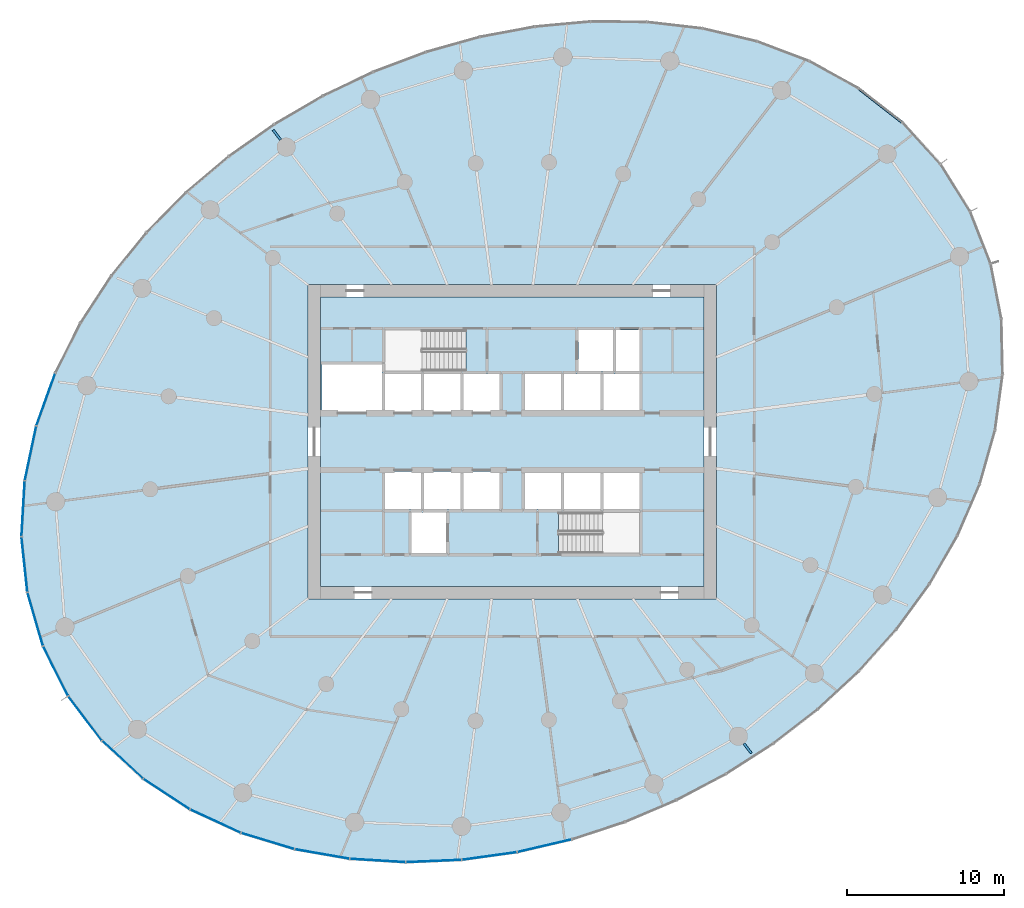
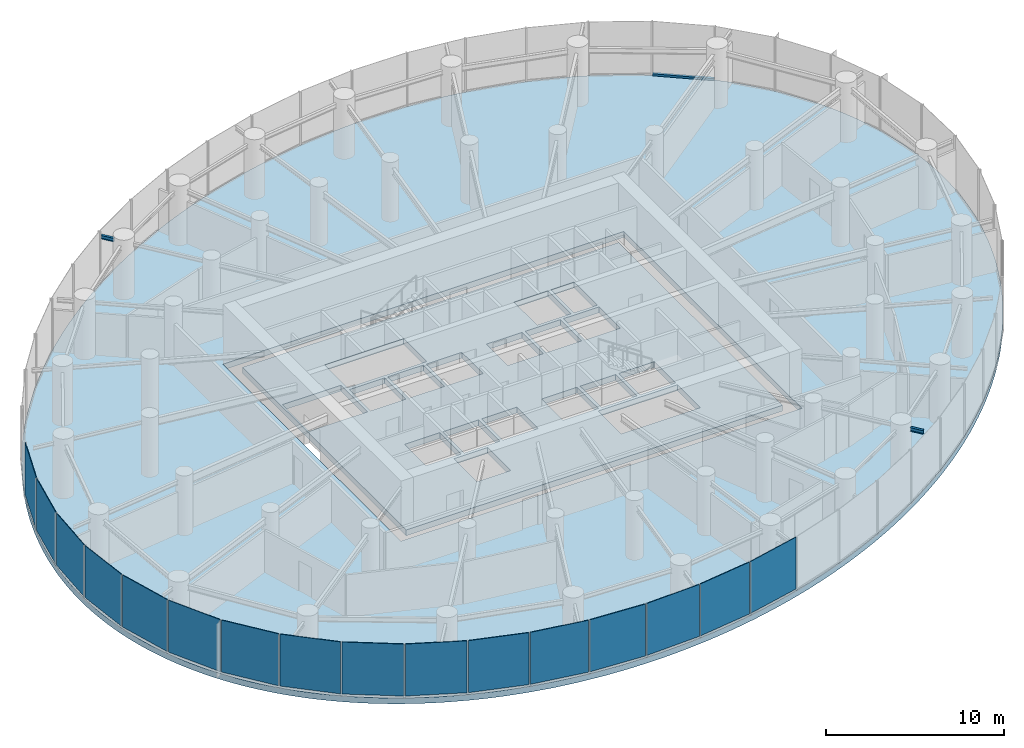
# One storey, part 8 of 17: 16 plates, 2 beams, 2 slabs, 1 member, 4 elements without a shape of their own.
"""IFC4 building model written with IfcOpenShell, lengths in metres."""

from ifc_helpers import new_model, si_unit, direction, frame, origin, origin_2d, place, context, subcontext, project, spatial, line, indexed_curve, rectangle, i_section, outline, extrude, source, transform, mapped, material, layer, layer_set, material_profile, profile_set, type_object, element, aggregate, save


model = new_model("IFC4")

# Units and contexts
model_context = context("Model", 3, precision=1e-05, world=origin(), true_north=direction((0.0, 1.0)))
body_context = subcontext(model_context, "Body", "Model", "MODEL_VIEW")
ifc_project = project(units=[si_unit("LENGTHUNIT", "METRE"), si_unit("AREAUNIT", "SQUARE_METRE"), si_unit("VOLUMEUNIT", "CUBIC_METRE"), si_unit("PLANEANGLEUNIT", "RADIAN"), si_unit("MASSUNIT", "GRAM", prefix="KILO")], contexts=[model_context])

# Site, building, storey
site_placement = place(None, origin())
site = spatial("IfcSite", under=ifc_project, at=site_placement, CompositionType="ELEMENT")
building_placement = place(site_placement, origin())
building = spatial("IfcBuilding", under=site, at=building_placement, Name="Spindrift Exchange Tower", CompositionType="ELEMENT")
storey_placement = place(building_placement, frame((0.0, 0.0, 108.5)))
storey = spatial("IfcBuildingStorey", under=building, at=storey_placement, Name="L25", CompositionType="ELEMENT", Elevation=108.5)

# Beams
ifc_material_1 = material(Name="Steel Grade 300", Category="steel")
ifc_material_profile_1 = material_profile(ifc_material_1, i_section(OverallWidth=0.14599609375, OverallDepth=0.251953125, WebThickness=0.006103515625, FlangeThickness=0.008544921875, FilletRadius=0.011962890625, at=origin_2d()), Name="250UB31.4")
ifc_profile_set_1 = profile_set([ifc_material_profile_1], Name="Steel Grade 300")
beam_type = type_object("IfcBeamType", Name="Cantilever Beam 250UB31.4 Steel Grade 300", PredefinedType="BEAM", material=ifc_profile_set_1)
shared_shape_1 = source(origin(), body_context, "Body", "SweptSolid", [
    extrude(i_section(OverallWidth=0.14599609375, OverallDepth=0.251953125, WebThickness=0.006103515625, FlangeThickness=0.008544921875, FilletRadius=0.011962890625, at=origin_2d()), origin(), (0.0, 0.0, 1.0), 0.7841796875),
])
for number, where, z_axis, x_axis, name in (
    (1, (37.264892578125, 67.203125, 3.573974609375), (-0.608732195094, 0.793375771407, 0.0), (-0.793375771407, -0.608732195094, 0.0), "L25 cantilever beam R09T"),
    (2, (66.735107421875, 28.796875, 3.573974609375), (0.608732195094, -0.793375771407, 0.0), (0.793375771407, 0.608732195094, 0.0), "L25 cantilever beam R21T"),
):
    element("IfcBeam", number, at=place(storey_placement, frame(where, z_axis=z_axis, x_axis=x_axis)), inside=storey, type_object=beam_type, Name=name, PredefinedType="BEAM", context=body_context, shape_type="MappedRepresentation", body=[
        mapped(shared_shape_1, transform((0.0, 0.0, 0.0), scale=1.0)),
    ])

# Curtain wall, member
ifc_material_2 = material(Name="Fritted laminated glass with bronze frame", Category="glass")
ifc_layer_1 = layer(ifc_material_2, 0.18994140625)
ifc_layer_set_1 = layer_set([ifc_layer_1], Name="ZONE 2 BRONZE FRITTED WALL")
curtain_wall_type = type_object("IfcCurtainWallType", Name="ZONE 2 BRONZE FRITTED WALL", PredefinedType="NOTDEFINED", material=ifc_layer_set_1)
curtain_wall_1_placement = place(storey_placement, origin())
curtain_wall_1 = element("IfcCurtainWall", 3, at=curtain_wall_1_placement, inside=storey, type_object=curtain_wall_type, Name="L25 Zone 2 Bronze Fritted Wall run 1", PredefinedType="NOTDEFINED")
ifc_material_3 = material(Name="Bronze anodised aluminium", Category="aluminium")
ifc_material_profile_2 = material_profile(ifc_material_3, rectangle(XDim=0.169921875, YDim=0.139892578125, at=origin_2d()), Name="ZONE 2 BRONZE FRITTED WALL TRANSOM 170X140")
ifc_profile_set_2 = profile_set([ifc_material_profile_2], Name="Bronze anodised aluminium")
member_type = type_object("IfcMemberType", Name="ZONE 2 BRONZE FRITTED WALL TRANSOM 170X140", PredefinedType="USERDEFINED", material=ifc_profile_set_2)
shared_shape_2 = source(origin(), body_context, "Body", "SweptSolid", [
    extrude(rectangle(XDim=0.169921875, YDim=0.139892578125, at=origin_2d()), origin(), (0.0, 0.0, 1.0), 3.48876953125),
])
member_placement = place(storey_placement, frame((76.814208984375, 68.315185546875, 0.070068359375), z_axis=(-0.788967704572, 0.614434667921, 0.0), x_axis=(-0.614434667921, -0.788967704572, 0.0)))
member = element("IfcMember", 4, at=member_placement, type_object=member_type, Name="L25 transom CW-2.3", ObjectType="TRANSOM", PredefinedType="USERDEFINED", context=body_context, shape_type="MappedRepresentation", body=[
    mapped(shared_shape_2, transform((0.0, 0.0, 0.0), scale=1.0)),
])
aggregate(curtain_wall_1, [member])

# Slabs
ifc_material_4 = material(Name="Concrete 50 MPa", Category="concrete")
ifc_layer_2 = layer(ifc_material_4, 0.39990234375)
ifc_layer_set_2 = layer_set([ifc_layer_2], Name="RC Floor Slab 400 Concrete 50 MPa")
slab_type_1 = type_object("IfcSlabType", Name="RC Floor Slab 400 Concrete 50 MPa", PredefinedType="FLOOR", material=ifc_layer_set_2)
slab_1_placement = place(storey_placement, frame((0.0, 0.0, -0.39990234375)))
element("IfcSlab", 5, at=slab_1_placement, inside=storey, type_object=slab_type_1, Name="Floor slab L25", PredefinedType="FLOOR", context=body_context, shape_type="SweptSolid", body=[
    extrude(outline(indexed_curve([(81.1279296875, 62.63427734375), (80.89501953125, 63.0830078125), (80.650634765625, 63.525390625), (80.394775390625, 63.961181640625), (80.12744140625, 64.39013671875), (79.84912109375, 64.81201171875), (79.56005859375, 65.2265625), (79.26025390625, 65.63330078125), (78.9501953125, 66.032470703125), (78.6298828125, 66.423583984375), (78.2998046875, 66.806396484375), (77.960205078125, 67.180908203125), (77.611572265625, 67.546630859375), (77.25390625, 67.903564453125), (76.887451171875, 68.251708984375), (76.5126953125, 68.591064453125), (76.130126953125, 68.921142578125), (75.739501953125, 69.241943359375), (75.341796875, 69.5537109375), (74.936767578125, 69.856201171875), (74.52490234375, 70.149169921875), (74.106689453125, 70.4326171875), (73.681884765625, 70.706787109375), (73.25146484375, 70.9716796875), (72.815185546875, 71.22705078125), (72.373779296875, 71.472900390625), (71.927001953125, 71.70947265625), (71.4755859375, 71.9365234375), (71.01953125, 72.154541015625), (70.55908203125, 72.363037109375), (70.0947265625, 72.562255859375), (69.154541015625, 72.93359375), (68.20068359375, 73.268310546875), (67.719482421875, 73.42236328125), (67.2353515625, 73.567626953125), (66.259521484375, 73.831787109375), (65.768310546875, 73.95068359375), (64.7802734375, 74.16357421875), (64.28369140625, 74.25732421875), (63.285888671875, 74.419921875), (62.785400390625, 74.4892578125), (61.781005859375, 74.603515625), (61.277587890625, 74.64892578125), (60.26904296875, 74.716552734375), (59.76416015625, 74.73876953125), (58.75341796875, 74.760986328125), (57.74267578125, 74.753662109375), (57.237548828125, 74.739013671875), (56.732421875, 74.71728515625), (55.7236328125, 74.65283203125), (54.717041015625, 74.560791015625), (54.21484375, 74.50439453125), (53.212890625, 74.371826171875), (52.713134765625, 74.29541015625), (51.717041015625, 74.12353515625), (51.220703125, 74.02783203125), (50.7255859375, 73.92578125), (49.73974609375, 73.702880859375), (48.759765625, 73.45556640625), (48.27197265625, 73.322509765625), (47.302001953125, 73.038818359375), (46.819580078125, 72.8876953125), (45.8603515625, 72.568603515625), (45.3837890625, 72.400146484375), (44.43701171875, 72.046142578125), (43.966796875, 71.860595703125), (43.033447265625, 71.47265625), (42.109619140625, 71.0625), (41.6513671875, 70.84912109375), (40.742919921875, 70.406005859375), (39.84521484375, 69.94140625), (38.95849609375, 69.455810546875), (38.083984375, 68.94873046875), (37.6513671875, 68.6875), (37.221923828125, 68.421142578125), (36.372802734375, 67.872802734375), (35.537109375, 67.303955078125), (35.12451171875, 67.011962890625), (34.715576171875, 66.715087890625), (33.90869140625, 66.106201171875), (33.1171875, 65.477294921875), (32.727294921875, 65.15576171875), (31.9599609375, 64.497802734375), (31.582763671875, 64.161376953125), (31.209716796875, 63.8203125), (30.47705078125, 63.123779296875), (29.762939453125, 62.408447265625), (29.4130859375, 62.043701171875), (28.728271484375, 61.30029296875), (28.393310546875, 60.921630859375), (27.739501953125, 60.15087890625), (27.420654296875, 59.758544921875), (26.7998046875, 58.960693359375), (26.498291015625, 58.555419921875), (26.202392578125, 58.1455078125), (25.629150390625, 57.31298828125), (25.081298828125, 56.46337890625), (24.8173828125, 56.032470703125), (24.3095703125, 55.158447265625), (24.06640625, 54.71533203125), (23.601318359375, 53.81787109375), (23.380126953125, 53.36328125), (23.16650390625, 52.9052734375), (22.76318359375, 51.978515625), (22.392822265625, 51.0380859375), (22.22021484375, 50.56298828125), (21.901611328125, 49.603515625), (21.756103515625, 49.11962890625), (21.492431640625, 48.143798828125), (21.375244140625, 47.652099609375), (21.267578125, 47.158203125), (21.17041015625, 46.662353515625), (21.0830078125, 46.16455078125), (21.006103515625, 45.6650390625), (20.93994140625, 45.1640625), (20.884521484375, 44.66162109375), (20.83984375, 44.158203125), (20.806396484375, 43.65380859375), (20.7841796875, 43.14892578125), (20.773681640625, 42.6435546875), (20.7744140625, 42.13818359375), (20.786865234375, 41.6328125), (20.811279296875, 41.128173828125), (20.847900390625, 40.6240234375), (20.896240234375, 40.120849609375), (20.956787109375, 39.619140625), (21.02978515625, 39.118896484375), (21.115234375, 38.620849609375), (21.212890625, 38.125), (21.322998046875, 37.631591796875), (21.445556640625, 37.141357421875), (21.580810546875, 36.654296875), (21.728271484375, 36.1708984375), (21.88818359375, 35.69140625), (22.060546875, 35.21630859375), (22.245361328125, 34.745849609375), (22.442138671875, 34.280517578125), (22.651123046875, 33.8203125), (22.8720703125, 33.36572265625), (23.10498046875, 32.9169921875), (23.349365234375, 32.474609375), (23.605224609375, 32.038818359375), (23.87255859375, 31.60986328125), (24.15087890625, 31.18798828125), (24.43994140625, 30.7734375), (24.73974609375, 30.36669921875), (25.0498046875, 29.967529296875), (25.3701171875, 29.576416015625), (25.7001953125, 29.193603515625), (26.039794921875, 28.819091796875), (26.388427734375, 28.453369140625), (26.74609375, 28.096435546875), (27.112548828125, 27.748291015625), (27.4873046875, 27.408935546875), (27.869873046875, 27.078857421875), (28.260498046875, 26.758056640625), (28.658203125, 26.4462890625), (29.063232421875, 26.143798828125), (29.47509765625, 25.850830078125), (29.893310546875, 25.5673828125), (30.318115234375, 25.293212890625), (30.74853515625, 25.0283203125), (31.184814453125, 24.77294921875), (31.626220703125, 24.527099609375), (32.072998046875, 24.29052734375), (32.5244140625, 24.0634765625), (32.98046875, 23.845458984375), (33.44091796875, 23.636962890625), (33.9052734375, 23.437744140625), (34.845458984375, 23.06640625), (35.79931640625, 22.731689453125), (36.280517578125, 22.57763671875), (36.7646484375, 22.432373046875), (37.740478515625, 22.168212890625), (38.231689453125, 22.04931640625), (39.2197265625, 21.83642578125), (39.71630859375, 21.74267578125), (40.714111328125, 21.580078125), (41.214599609375, 21.5107421875), (42.218994140625, 21.396484375), (42.722412109375, 21.35107421875), (43.73095703125, 21.283447265625), (44.23583984375, 21.26123046875), (45.24658203125, 21.239013671875), (46.25732421875, 21.246337890625), (46.762451171875, 21.260986328125), (47.267578125, 21.28271484375), (48.2763671875, 21.34716796875), (49.282958984375, 21.439208984375), (49.78515625, 21.49560546875), (50.787109375, 21.628173828125), (51.286865234375, 21.70458984375), (52.282958984375, 21.87646484375), (52.779296875, 21.97216796875), (53.2744140625, 22.07421875), (54.26025390625, 22.297119140625), (55.240234375, 22.54443359375), (55.72802734375, 22.677490234375), (56.697998046875, 22.961181640625), (57.180419921875, 23.1123046875), (58.1396484375, 23.431396484375), (58.6162109375, 23.599853515625), (59.56298828125, 23.953857421875), (60.033203125, 24.139404296875), (60.966552734375, 24.52734375), (61.890380859375, 24.9375), (62.3486328125, 25.15087890625), (63.257080078125, 25.593994140625), (64.15478515625, 26.05859375), (65.04150390625, 26.544189453125), (65.916015625, 27.05126953125), (66.3486328125, 27.3125), (66.778076171875, 27.578857421875), (67.627197265625, 28.127197265625), (68.462890625, 28.696044921875), (68.87548828125, 28.988037109375), (69.284423828125, 29.284912109375), (70.09130859375, 29.893798828125), (70.8828125, 30.522705078125), (71.272705078125, 30.84423828125), (72.0400390625, 31.502197265625), (72.417236328125, 31.838623046875), (72.790283203125, 32.1796875), (73.52294921875, 32.876220703125), (74.237060546875, 33.591552734375), (74.5869140625, 33.956298828125), (75.271728515625, 34.69970703125), (75.606689453125, 35.078369140625), (76.260498046875, 35.84912109375), (76.579345703125, 36.241455078125), (77.2001953125, 37.039306640625), (77.501708984375, 37.444580078125), (77.797607421875, 37.8544921875), (78.370849609375, 38.68701171875), (78.918701171875, 39.53662109375), (79.1826171875, 39.967529296875), (79.6904296875, 40.841552734375), (79.93359375, 41.28466796875), (80.398681640625, 42.18212890625), (80.619873046875, 42.63671875), (80.83349609375, 43.0947265625), (81.23681640625, 44.021484375), (81.607177734375, 44.9619140625), (81.77978515625, 45.43701171875), (82.098388671875, 46.396484375), (82.243896484375, 46.88037109375), (82.507568359375, 47.856201171875), (82.624755859375, 48.347900390625), (82.732421875, 48.841796875), (82.82958984375, 49.337646484375), (82.9169921875, 49.83544921875), (82.993896484375, 50.3349609375), (83.06005859375, 50.8359375), (83.115478515625, 51.33837890625), (83.16015625, 51.841796875), (83.193603515625, 52.34619140625), (83.2158203125, 52.85107421875), (83.226318359375, 53.3564453125), (83.2255859375, 53.86181640625), (83.213134765625, 54.3671875), (83.188720703125, 54.871826171875), (83.152099609375, 55.3759765625), (83.103759765625, 55.879150390625), (83.043212890625, 56.380859375), (82.97021484375, 56.881103515625), (82.884765625, 57.379150390625), (82.787109375, 57.875), (82.677001953125, 58.368408203125), (82.554443359375, 58.858642578125), (82.419189453125, 59.345703125), (82.271728515625, 59.8291015625), (82.11181640625, 60.30859375), (81.939453125, 60.78369140625), (81.754638671875, 61.254150390625), (81.557861328125, 61.719482421875), (81.348876953125, 62.1796875)], segments=[line(1, 2, 3, 4, 5, 6, 7, 8, 9, 10, 11, 12, 13, 14, 15, 16, 17, 18, 19, 20, 21, 22, 23, 24, 25, 26, 27, 28, 29, 30, 31, 32, 33, 34, 35, 36, 37, 38, 39, 40, 41, 42, 43, 44, 45, 46, 47, 48, 49, 50, 51, 52, 53, 54, 55, 56, 57, 58, 59, 60, 61, 62, 63, 64, 65, 66, 67, 68, 69, 70, 71, 72, 73, 74, 75, 76, 77, 78, 79, 80, 81, 82, 83, 84, 85, 86, 87, 88, 89, 90, 91, 92, 93, 94, 95, 96, 97, 98, 99, 100, 101, 102, 103, 104, 105, 106, 107, 108, 109, 110, 111, 112, 113, 114, 115, 116, 117, 118, 119, 120, 121, 122, 123, 124, 125, 126, 127, 128, 129, 130, 131, 132, 133, 134, 135, 136, 137, 138, 139, 140, 141, 142, 143, 144, 145, 146, 147, 148, 149, 150, 151, 152, 153, 154, 155, 156, 157, 158, 159, 160, 161, 162, 163, 164, 165, 166, 167, 168, 169, 170, 171, 172, 173, 174, 175, 176, 177, 178, 179, 180, 181, 182, 183, 184, 185, 186, 187, 188, 189, 190, 191, 192, 193, 194, 195, 196, 197, 198, 199, 200, 201, 202, 203, 204, 205, 206, 207, 208, 209, 210, 211, 212, 213, 214, 215, 216, 217, 218, 219, 220, 221, 222, 223, 224, 225, 226, 227, 228, 229, 230, 231, 232, 233, 234, 235, 236, 237, 238, 239, 240, 241, 242, 243, 244, 245, 246, 247, 248, 249, 250, 251, 252, 253, 254, 255, 256, 257, 258, 259, 260, 261, 262, 263, 264, 265, 266, 267, 268, 269, 270, 271, 272, 273, 274, 275, 276, 1)], self_intersect=False), holes=[indexed_curve([(39.0, 38.0), (65.0, 38.0), (65.0, 58.0), (39.0, 58.0)], segments=[line(1, 2, 3, 4, 1)], self_intersect=False)]), origin(), (0.0, 0.0, 1.0), 0.39990234375),
])
ifc_layer_3 = layer(ifc_material_4, 0.39990234375)
ifc_layer_set_3 = layer_set([ifc_layer_3], Name="SL-CORE-FLOOR-400")
slab_type_2 = type_object("IfcSlabType", Name="SL-CORE-FLOOR-400", PredefinedType="FLOOR", material=ifc_layer_set_3)
slab_2_placement = place(storey_placement, frame((0.0, 0.0, -0.39990234375)))
element("IfcSlab", 6, at=slab_2_placement, inside=storey, type_object=slab_type_2, Name="L25 Core floor slab", PredefinedType="FLOOR", context=body_context, shape_type="SweptSolid", body=[
    extrude(outline(indexed_curve([(39.800048828125, 38.800048828125), (39.800048828125, 57.199951171875), (64.199951171875, 57.199951171875), (64.199951171875, 38.800048828125)], segments=[line(1, 2, 3, 4, 1)], self_intersect=False), holes=[indexed_curve([(47.800048828125, 43.5), (45.60009765625, 43.5), (45.60009765625, 40.89990234375), (47.800048828125, 40.89990234375)], segments=[line(1, 2, 3, 4, 1)], self_intersect=False), indexed_curve([(46.199951171875, 46.10009765625), (43.89990234375, 46.10009765625), (43.89990234375, 43.699951171875), (46.199951171875, 43.699951171875)], segments=[line(1, 2, 3, 4, 1)], self_intersect=False), indexed_curve([(48.699951171875, 46.10009765625), (46.39990234375, 46.10009765625), (46.39990234375, 43.699951171875), (48.699951171875, 43.699951171875)], segments=[line(1, 2, 3, 4, 1)], self_intersect=False), indexed_curve([(51.199951171875, 46.10009765625), (48.89990234375, 46.10009765625), (48.89990234375, 43.699951171875), (51.199951171875, 43.699951171875)], segments=[line(1, 2, 3, 4, 1)], self_intersect=False), indexed_curve([(46.199951171875, 52.300048828125), (43.89990234375, 52.300048828125), (43.89990234375, 49.89990234375), (46.199951171875, 49.89990234375)], segments=[line(1, 2, 3, 4, 1)], self_intersect=False), indexed_curve([(48.699951171875, 52.300048828125), (46.39990234375, 52.300048828125), (46.39990234375, 49.89990234375), (48.699951171875, 49.89990234375)], segments=[line(1, 2, 3, 4, 1)], self_intersect=False), indexed_curve([(51.199951171875, 52.300048828125), (48.89990234375, 52.300048828125), (48.89990234375, 49.89990234375), (51.199951171875, 49.89990234375)], segments=[line(1, 2, 3, 4, 1)], self_intersect=False), indexed_curve([(43.699951171875, 49.89990234375), (43.699951171875, 52.89990234375), (39.89990234375, 52.89990234375), (39.89990234375, 49.89990234375)], segments=[line(1, 2, 3, 4, 1)], self_intersect=False), indexed_curve([(49.0439453125, 55.093994140625), (43.906005859375, 55.093994140625), (43.906005859375, 52.506103515625), (49.0439453125, 52.506103515625)], segments=[line(1, 2, 3, 4, 1)], self_intersect=False), indexed_curve([(60.093994140625, 40.906005859375), (60.093994140625, 43.493896484375), (54.9560546875, 43.493896484375), (54.9560546875, 40.906005859375)], segments=[line(1, 2, 3, 4, 1)], self_intersect=False), indexed_curve([(55.10009765625, 46.10009765625), (52.800048828125, 46.10009765625), (52.800048828125, 43.699951171875), (55.10009765625, 43.699951171875)], segments=[line(1, 2, 3, 4, 1)], self_intersect=False), indexed_curve([(57.60009765625, 46.10009765625), (55.300048828125, 46.10009765625), (55.300048828125, 43.699951171875), (57.60009765625, 43.699951171875)], segments=[line(1, 2, 3, 4, 1)], self_intersect=False), indexed_curve([(60.10009765625, 46.10009765625), (57.800048828125, 46.10009765625), (57.800048828125, 43.699951171875), (60.10009765625, 43.699951171875)], segments=[line(1, 2, 3, 4, 1)], self_intersect=False), indexed_curve([(55.10009765625, 52.300048828125), (52.800048828125, 52.300048828125), (52.800048828125, 49.89990234375), (55.10009765625, 49.89990234375)], segments=[line(1, 2, 3, 4, 1)], self_intersect=False), indexed_curve([(57.60009765625, 52.300048828125), (55.300048828125, 52.300048828125), (55.300048828125, 49.89990234375), (57.60009765625, 49.89990234375)], segments=[line(1, 2, 3, 4, 1)], self_intersect=False), indexed_curve([(60.10009765625, 52.300048828125), (57.800048828125, 52.300048828125), (57.800048828125, 49.89990234375), (60.10009765625, 49.89990234375)], segments=[line(1, 2, 3, 4, 1)], self_intersect=False), indexed_curve([(58.39990234375, 52.5), (58.39990234375, 55.10009765625), (56.199951171875, 55.10009765625), (56.199951171875, 52.5)], segments=[line(1, 2, 3, 4, 1)], self_intersect=False), indexed_curve([(60.10009765625, 52.5), (60.10009765625, 55.10009765625), (58.60009765625, 55.10009765625), (58.60009765625, 52.5)], segments=[line(1, 2, 3, 4, 1)], self_intersect=False)]), origin(), (0.0, 0.0, 1.0), 0.39990234375),
])

# Curtain wall, plates
curtain_wall_2_placement = place(storey_placement, origin())
curtain_wall_2 = element("IfcCurtainWall", 7, at=curtain_wall_2_placement, inside=storey, type_object=curtain_wall_type, Name="L25 Zone 2 Bronze Fritted Wall run 6", PredefinedType="NOTDEFINED")
ifc_material_5 = material(Name="Bronze fritted laminated glass, close frit", Category="glass")
ifc_layer_4 = layer(ifc_material_5, 0.033935546875)
ifc_layer_set_4 = layer_set([ifc_layer_4], Name="ZONE 2 BRONZE FRITTED WALL PANEL CLOSE FRIT 420")
plate_type_1 = type_object("IfcPlateType", Name="ZONE 2 BRONZE FRITTED WALL PANEL CLOSE FRIT 420", PredefinedType="CURTAIN_PANEL", material=ifc_layer_set_4)
shared_shape_3 = source(origin(), body_context, "Body", "SweptSolid", [
    extrude(rectangle(XDim=3.491455078125, YDim=0.033935546875, at=origin_2d()), origin(), (0.0, 0.0, 1.0), 3.56005859375),
])
plate_1_placement = place(storey_placement, frame((50.5458984375, 21.635986328125, 0.139892578125), z_axis=(0.0, 0.0, 1.0), x_axis=(0.990430859208, 0.138009829823, 0.0)))
plate_1 = element("IfcPlate", 8, at=plate_1_placement, type_object=plate_type_1, Name="L25 panel CW-2.35", PredefinedType="CURTAIN_PANEL", context=body_context, shape_type="MappedRepresentation", body=[
    mapped(shared_shape_3, transform((0.0, 0.0, 0.0), scale=1.0)),
])
plate_2_placement = place(storey_placement, frame((54.048583984375, 22.287841796875, 0.139892578125), z_axis=(0.0, 0.0, 1.0), x_axis=(0.973770658222, 0.22753176742, 0.0)))
plate_2 = element("IfcPlate", 9, at=plate_2_placement, type_object=plate_type_1, Name="L25 panel CW-2.36", PredefinedType="CURTAIN_PANEL", context=body_context, shape_type="MappedRepresentation", body=[
    mapped(shared_shape_3, transform((0.0, 0.0, 0.0), scale=1.0)),
])
ifc_layer_5 = layer(ifc_material_5, 0.033935546875)
ifc_layer_set_5 = layer_set([ifc_layer_5], Name="ZONE 2 BRONZE FRITTED WALL PANEL CLOSE FRIT 540")
plate_type_2 = type_object("IfcPlateType", Name="ZONE 2 BRONZE FRITTED WALL PANEL CLOSE FRIT 540", PredefinedType="CURTAIN_PANEL", material=ifc_layer_set_5)
shared_shape_4 = source(origin(), body_context, "Body", "SweptSolid", [
    extrude(rectangle(XDim=3.4912109375, YDim=0.033935546875, at=origin_2d()), origin(), (0.0, 0.0, 1.0), 3.56005859375),
])
plate_3_placement = place(storey_placement, frame((46.998291015625, 21.314697265625, 0.139892578125), z_axis=(0.0, 0.0, 1.0), x_axis=(0.999109109653, 0.042201741775, 0.0)))
plate_3 = element("IfcPlate", 10, at=plate_3_placement, type_object=plate_type_2, Name="L25 panel CW-2.34", PredefinedType="CURTAIN_PANEL", context=body_context, shape_type="MappedRepresentation", body=[
    mapped(shared_shape_4, transform((0.0, 0.0, 0.0), scale=1.0)),
])

# Curtain wall, plate
curtain_wall_3_placement = place(storey_placement, origin())
curtain_wall_3 = element("IfcCurtainWall", 11, at=curtain_wall_3_placement, inside=storey, type_object=curtain_wall_type, Name="L25 Zone 2 Bronze Fritted Wall run 4", PredefinedType="NOTDEFINED")
ifc_layer_6 = layer(ifc_material_5, 0.033935546875)
ifc_layer_set_6 = layer_set([ifc_layer_6], Name="ZONE 2 BRONZE FRITTED WALL PANEL CLOSE FRIT 300")
plate_type_3 = type_object("IfcPlateType", Name="ZONE 2 BRONZE FRITTED WALL PANEL CLOSE FRIT 300", PredefinedType="CURTAIN_PANEL", material=ifc_layer_set_6)
shared_shape_5 = source(origin(), body_context, "Body", "SweptSolid", [
    extrude(rectangle(XDim=3.489013671875, YDim=0.033935546875, at=origin_2d()), origin(), (0.0, 0.0, 1.0), 3.56005859375),
])
plate_4_placement = place(storey_placement, frame((20.881591796875, 43.73876953125, 0.139892578125), z_axis=(0.0, 0.0, 1.0), x_axis=(-0.058388179089, -0.998293954977, 0.0)))
plate_4 = element("IfcPlate", 12, at=plate_4_placement, type_object=plate_type_3, Name="L25 panel CW-2.23", PredefinedType="CURTAIN_PANEL", context=body_context, shape_type="MappedRepresentation", body=[
    mapped(shared_shape_5, transform((0.0, 0.0, 0.0), scale=1.0)),
])

# Curtain wall, plates
curtain_wall_4_placement = place(storey_placement, origin())
curtain_wall_4 = element("IfcCurtainWall", 13, at=curtain_wall_4_placement, inside=storey, type_object=curtain_wall_type, Name="L25 Zone 2 Bronze Fritted Wall run 5", PredefinedType="NOTDEFINED")
shared_shape_6 = source(origin(), body_context, "Body", "SweptSolid", [
    extrude(rectangle(XDim=3.48779296875, YDim=0.033935546875, at=origin_2d()), origin(), (0.0, 0.0, 1.0), 3.56005859375),
])
plate_5_placement = place(storey_placement, frame((21.64990234375, 36.705322265625, 0.139892578125), z_axis=(0.0, 0.0, 1.0), x_axis=(0.278459762281, -0.960447895927, 0.0)))
plate_5 = element("IfcPlate", 14, at=plate_5_placement, type_object=plate_type_1, Name="L25 panel CW-2.25", PredefinedType="CURTAIN_PANEL", context=body_context, shape_type="MappedRepresentation", body=[
    mapped(shared_shape_6, transform((0.0, 0.0, 0.0), scale=1.0)),
])
shared_shape_7 = source(origin(), body_context, "Body", "SweptSolid", [
    extrude(rectangle(XDim=3.48779296875, YDim=0.033935546875, at=origin_2d()), origin(), (0.0, 0.0, 1.0), 3.56005859375),
])
plate_6_placement = place(storey_placement, frame((24.822021484375, 30.3916015625, 0.139892578125), z_axis=(0.0, 0.0, 1.0), x_axis=(0.604378048677, -0.79669766805, 0.0)))
plate_6 = element("IfcPlate", 15, at=plate_6_placement, type_object=plate_type_2, Name="L25 panel CW-2.27", PredefinedType="CURTAIN_PANEL", context=body_context, shape_type="MappedRepresentation", body=[
    mapped(shared_shape_7, transform((0.0, 0.0, 0.0), scale=1.0)),
])
shared_shape_8 = source(origin(), body_context, "Body", "SweptSolid", [
    extrude(rectangle(XDim=3.489013671875, YDim=0.033935546875, at=origin_2d()), origin(), (0.0, 0.0, 1.0), 3.56005859375),
])
plate_7_placement = place(storey_placement, frame((30.00634765625, 25.576904296875, 0.139892578125), z_axis=(0.0, 0.0, 1.0), x_axis=(0.835808319593, -0.549021359238, 0.0)))
plate_7 = element("IfcPlate", 16, at=plate_7_placement, type_object=plate_type_1, Name="L25 panel CW-2.29", PredefinedType="CURTAIN_PANEL", context=body_context, shape_type="MappedRepresentation", body=[
    mapped(shared_shape_8, transform((0.0, 0.0, 0.0), scale=1.0)),
])
shared_shape_9 = source(origin(), body_context, "Body", "SweptSolid", [
    extrude(rectangle(XDim=3.48779296875, YDim=0.033935546875, at=origin_2d()), origin(), (0.0, 0.0, 1.0), 3.56005859375),
])
plate_8_placement = place(storey_placement, frame((22.94580078125, 33.402587890625, 0.139892578125), z_axis=(0.0, 0.0, 1.0), x_axis=(0.448930708621, -0.893566572146, 0.0)))
plate_8 = element("IfcPlate", 17, at=plate_8_placement, type_object=plate_type_3, Name="L25 panel CW-2.26", PredefinedType="CURTAIN_PANEL", context=body_context, shape_type="MappedRepresentation", body=[
    mapped(shared_shape_9, transform((0.0, 0.0, 0.0), scale=1.0)),
])
shared_shape_10 = source(origin(), body_context, "Body", "SweptSolid", [
    extrude(rectangle(XDim=3.488525390625, YDim=0.033935546875, at=origin_2d()), origin(), (0.0, 0.0, 1.0), 3.56005859375),
])
plate_9_placement = place(storey_placement, frame((27.2080078125, 27.763916015625, 0.139892578125), z_axis=(0.0, 0.0, 1.0), x_axis=(0.734760706686, -0.678326399243, 0.0)))
plate_9 = element("IfcPlate", 18, at=plate_9_placement, type_object=plate_type_1, Name="L25 panel CW-2.28", PredefinedType="CURTAIN_PANEL", context=body_context, shape_type="MappedRepresentation", body=[
    mapped(shared_shape_10, transform((0.0, 0.0, 0.0), scale=1.0)),
])

# Plate
shared_shape_11 = source(origin(), body_context, "Body", "SweptSolid", [
    extrude(rectangle(XDim=3.490234375, YDim=0.033935546875, at=origin_2d()), origin(), (0.0, 0.0, 1.0), 3.56005859375),
])
plate_10_placement = place(storey_placement, frame((22.32421875, 50.68359375, 0.139892578125), z_axis=(0.0, 0.0, 1.0), x_axis=(-0.337277644641, -0.941405221159, 0.0)))
plate_10 = element("IfcPlate", 19, at=plate_10_placement, type_object=plate_type_2, Name="L25 panel CW-2.21", PredefinedType="CURTAIN_PANEL", context=body_context, shape_type="MappedRepresentation", body=[
    mapped(shared_shape_11, transform((0.0, 0.0, 0.0), scale=1.0)),
])

plate_11_placement = place(storey_placement, frame((36.439453125, 22.589111328125, 0.139892578125), z_axis=(0.0, 0.0, 1.0), x_axis=(0.95662006416, -0.291338382034, 0.0)))
plate_11 = element("IfcPlate", 20, at=plate_11_placement, type_object=plate_type_2, Name="L25 panel CW-2.31", PredefinedType="CURTAIN_PANEL", context=body_context, shape_type="MappedRepresentation", body=[
    mapped(shared_shape_11, transform((0.0, 0.0, 0.0), scale=1.0)),
])

shared_shape_12 = source(origin(), body_context, "Body", "SweptSolid", [
    extrude(rectangle(XDim=3.49072265625, YDim=0.033935546875, at=origin_2d()), origin(), (0.0, 0.0, 1.0), 3.56005859375),
])
plate_12_placement = place(storey_placement, frame((39.901123046875, 21.762939453125, 0.139892578125), z_axis=(0.0, 0.0, 1.0), x_axis=(0.985102123541, -0.171970364292, 0.0)))
plate_12 = element("IfcPlate", 21, at=plate_12_placement, type_object=plate_type_3, Name="L25 panel CW-2.32", PredefinedType="CURTAIN_PANEL", context=body_context, shape_type="MappedRepresentation", body=[
    mapped(shared_shape_12, transform((0.0, 0.0, 0.0), scale=1.0)),
])

shared_shape_13 = source(origin(), body_context, "Body", "SweptSolid", [
    extrude(rectangle(XDim=3.490966796875, YDim=0.033935546875, at=origin_2d()), origin(), (0.0, 0.0, 1.0), 3.56005859375),
])
plate_13_placement = place(storey_placement, frame((43.43701171875, 21.347900390625, 0.139892578125), z_axis=(0.0, 0.0, 1.0), x_axis=(0.998145119449, -0.060879557496, 0.0)))
plate_13 = element("IfcPlate", 22, at=plate_13_placement, type_object=plate_type_3, Name="L25 panel CW-2.33", PredefinedType="CURTAIN_PANEL", context=body_context, shape_type="MappedRepresentation", body=[
    mapped(shared_shape_13, transform((0.0, 0.0, 0.0), scale=1.0)),
])

aggregate(curtain_wall_2, [plate_11, plate_12, plate_13, plate_3, plate_1, plate_2])

shared_shape_14 = source(origin(), body_context, "Body", "SweptSolid", [
    extrude(rectangle(XDim=3.48974609375, YDim=0.033935546875, at=origin_2d()), origin(), (0.0, 0.0, 1.0), 3.56005859375),
])
plate_14_placement = place(storey_placement, frame((21.354248046875, 47.26171875, 0.139892578125), z_axis=(0.0, 0.0, 1.0), x_axis=(-0.206861649631, -0.978370204939, 0.0)))
plate_14 = element("IfcPlate", 23, at=plate_14_placement, type_object=plate_type_3, Name="L25 panel CW-2.22", PredefinedType="CURTAIN_PANEL", context=body_context, shape_type="MappedRepresentation", body=[
    mapped(shared_shape_14, transform((0.0, 0.0, 0.0), scale=1.0)),
])

plate_15_placement = place(storey_placement, frame((33.114990234375, 23.853515625, 0.139892578125), z_axis=(0.0, 0.0, 1.0), x_axis=(0.908433043337, -0.418030388576, 0.0)))
plate_15 = element("IfcPlate", 24, at=plate_15_placement, type_object=plate_type_3, Name="L25 panel CW-2.30", PredefinedType="CURTAIN_PANEL", context=body_context, shape_type="MappedRepresentation", body=[
    mapped(shared_shape_14, transform((0.0, 0.0, 0.0), scale=1.0)),
])

aggregate(curtain_wall_4, [plate_5, plate_8, plate_6, plate_9, plate_7, plate_15])

shared_shape_15 = source(origin(), body_context, "Body", "SweptSolid", [
    extrude(rectangle(XDim=3.48828125, YDim=0.033935546875, at=origin_2d()), origin(), (0.0, 0.0, 1.0), 3.56005859375),
])
plate_16_placement = place(storey_placement, frame((20.9658203125, 40.18798828125, 0.139892578125), z_axis=(0.0, 0.0, 1.0), x_axis=(0.10562887606, -0.994405621737, 0.0)))
plate_16 = element("IfcPlate", 25, at=plate_16_placement, type_object=plate_type_2, Name="L25 panel CW-2.24", PredefinedType="CURTAIN_PANEL", context=body_context, shape_type="MappedRepresentation", body=[
    mapped(shared_shape_15, transform((0.0, 0.0, 0.0), scale=1.0)),
])

aggregate(curtain_wall_3, [plate_10, plate_14, plate_4, plate_16])

save(model, "model.ifc")
